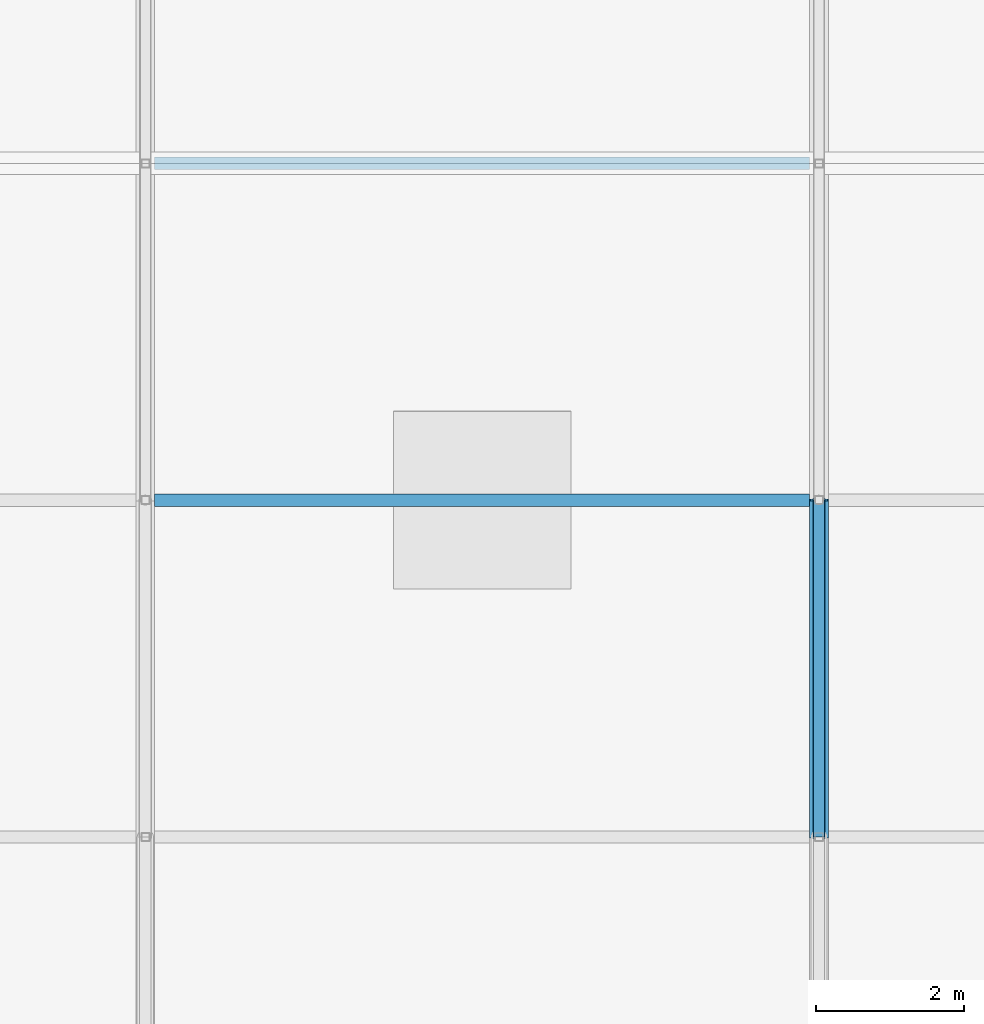
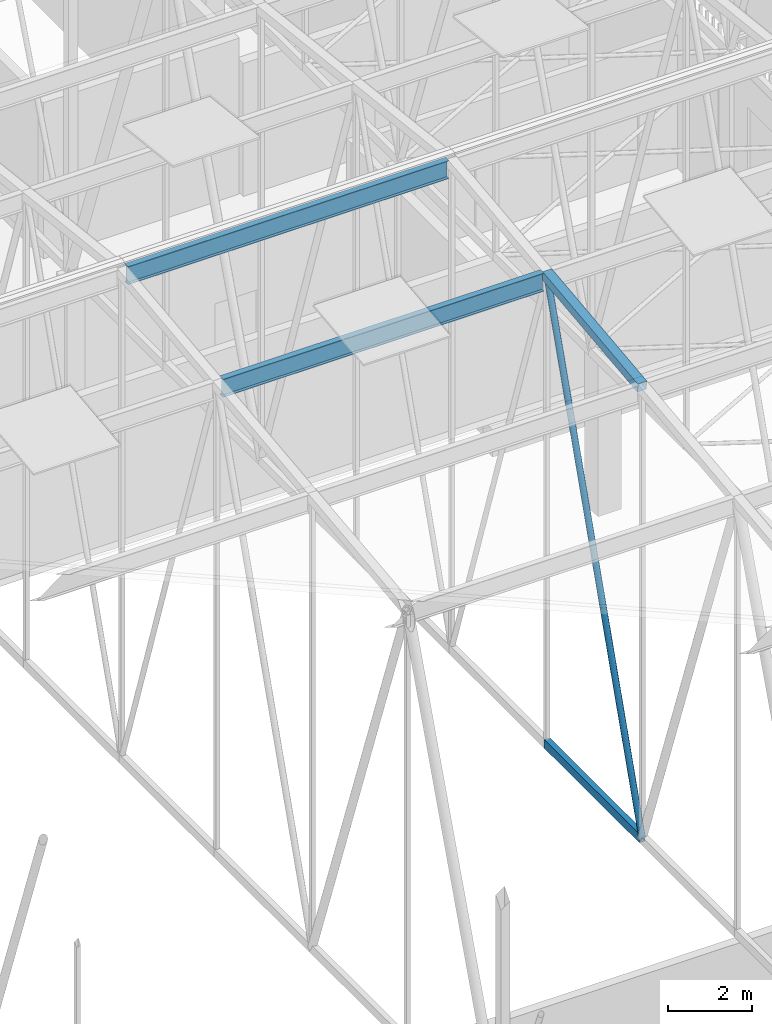
# One storey, part 360 of 500: 5 members.
"""IFC4 building model written with IfcOpenShell, lengths in metres."""

from ifc_helpers import new_model, si_unit, direction, frame, origin, origin_2d, place, context, subcontext, project, spatial, hollow_rectangle, hollow_circle, i_section, extrude, material, material_profile, profile_set, type_object, element, save


model = new_model("IFC4")

# Units and contexts
model_context = context("Model", 3, precision=1e-05, world=origin(), true_north=direction((0.0, 1.0)))
body_context = subcontext(model_context, "Body", "Model", "MODEL_VIEW")
ifc_project = project(units=[si_unit("LENGTHUNIT", "METRE"), si_unit("AREAUNIT", "SQUARE_METRE"), si_unit("VOLUMEUNIT", "CUBIC_METRE"), si_unit("PLANEANGLEUNIT", "RADIAN"), si_unit("MASSUNIT", "GRAM", prefix="KILO")], contexts=[model_context])

# Site, building, storey
site_placement = place(None, origin())
site = spatial("IfcSite", under=ifc_project, at=site_placement, CompositionType="ELEMENT")
building_placement = place(site_placement, origin())
building = spatial("IfcBuilding", under=site, at=building_placement, Name="Shirokan Park Arena", CompositionType="ELEMENT")
storey_placement = place(building_placement, frame((0.0, 0.0, 29.1201171875)))
storey = spatial("IfcBuildingStorey", under=building, at=storey_placement, Name="L06", CompositionType="ELEMENT", Elevation=29.1201171875)

# Members
ifc_material_1 = material(Name="Steel ASTM A500 Grade C", Category="steel")
ifc_material_profile_1 = material_profile(ifc_material_1, hollow_rectangle(XDim=0.152099609375, YDim=0.25390625, WallThickness=0.009521484375, at=origin_2d()), Name="HSS254X152.4X9.5")
ifc_profile_set_1 = profile_set([ifc_material_profile_1], Name="Steel ASTM A500 Grade C")
member_type_1 = type_object("IfcMemberType", Name="Bottom chord HSS254X152.4X9.5", PredefinedType="CHORD", material=ifc_profile_set_1)
member_1_placement = place(storey_placement, frame((127.39990234375, 45.5, 4.677001953125), z_axis=(0.0, 1.0, 0.0), x_axis=(-1.0, 0.0, 0.0)))
element("IfcMember", 1, at=member_1_placement, inside=storey, type_object=member_type_1, Name="Truss T15 bottom chord 13", PredefinedType="CHORD", context=body_context, shape_type="SweptSolid", body=[
    extrude(hollow_rectangle(XDim=0.152099609375, YDim=0.25390625, WallThickness=0.009521484375, at=origin_2d()), origin(), (0.0, 0.0, 1.0), 4.550048828125),
])
ifc_material_2 = material(Name="Steel ASTM A992", Category="steel")
ifc_material_profile_2 = material_profile(ifc_material_2, i_section(OverallWidth=0.166015625, OverallDepth=0.528076171875, WebThickness=0.009765625, FlangeThickness=0.013671875, at=origin_2d()), Name="W530X74")
ifc_profile_set_2 = profile_set([ifc_material_profile_2], Name="Steel ASTM A992")
member_type_2 = type_object("IfcMemberType", Name="Purlin W530X74", PredefinedType="PURLIN", material=ifc_profile_set_2)
for number, where, z_axis, x_axis, name in (
    (2, (118.427001953125, 50.050048828125, 18.205810546875), (1.0, 0.0, 0.0), (0.0, 1.0, 0.0), "Purlin 14 bay 14"),
    (3, (118.427001953125, 54.60009765625, 18.725830078125), (1.0, 0.0, 0.0), (0.0, 1.0, 0.0), "Purlin 15 bay 14"),
):
    element("IfcMember", number, at=place(storey_placement, frame(where, z_axis=z_axis, x_axis=x_axis)), inside=storey, type_object=member_type_2, Name=name, PredefinedType="PURLIN", context=body_context, shape_type="SweptSolid", body=[
        extrude(i_section(OverallWidth=0.166015625, OverallDepth=0.528076171875, WebThickness=0.009765625, FlangeThickness=0.013671875, at=origin_2d()), origin(), (0.0, 0.0, 1.0), 8.845947265625),
    ])
ifc_material_profile_3 = material_profile(ifc_material_1, hollow_rectangle(XDim=0.25390625, YDim=0.25390625, WallThickness=0.009521484375, at=origin_2d()), Name="HSS254X254X9.5")
ifc_profile_set_3 = profile_set([ifc_material_profile_3], Name="Steel ASTM A500 Grade C")
member_type_3 = type_object("IfcMemberType", Name="Top chord HSS254X254X9.5", PredefinedType="CHORD", material=ifc_profile_set_3)
member_2_placement = place(storey_placement, frame((127.39990234375, 45.5, 17.822998046875), z_axis=(0.0, 0.993538341779, 0.113496975353), x_axis=(-1.0, 0.0, 0.0)))
element("IfcMember", 4, at=member_2_placement, inside=storey, type_object=member_type_3, Name="Truss T15 top chord 13", PredefinedType="CHORD", context=body_context, shape_type="SweptSolid", body=[
    extrude(hollow_rectangle(XDim=0.25390625, YDim=0.25390625, WallThickness=0.009521484375, at=origin_2d()), origin(), (0.0, 0.0, 1.0), 4.57958984375),
])
ifc_material_profile_4 = material_profile(ifc_material_1, hollow_circle(Radius=0.083984375, WallThickness=0.009521484375, at=origin_2d()), Name="HSS168.3X9.5")
ifc_profile_set_4 = profile_set([ifc_material_profile_4], Name="Steel ASTM A500 Grade C")
member_type_4 = type_object("IfcMemberType", Name="Truss diagonal HSS168.3X9.5", PredefinedType="BRACE", material=ifc_profile_set_4)
member_3_placement = place(storey_placement, frame((127.39990234375, 45.5, 4.677001953125), z_axis=(0.0, 0.315902302102, 0.948791723998), x_axis=(-1.0, 0.0, 0.0)))
element("IfcMember", 5, at=member_3_placement, inside=storey, type_object=member_type_4, Name="Truss T15 diagonal 13", PredefinedType="BRACE", context=body_context, shape_type="SweptSolid", body=[
    extrude(hollow_circle(Radius=0.083984375, WallThickness=0.009521484375, at=origin_2d()), origin(), (0.0, 0.0, 1.0), 14.4033203125),
])

save(model, "model.ifc")
